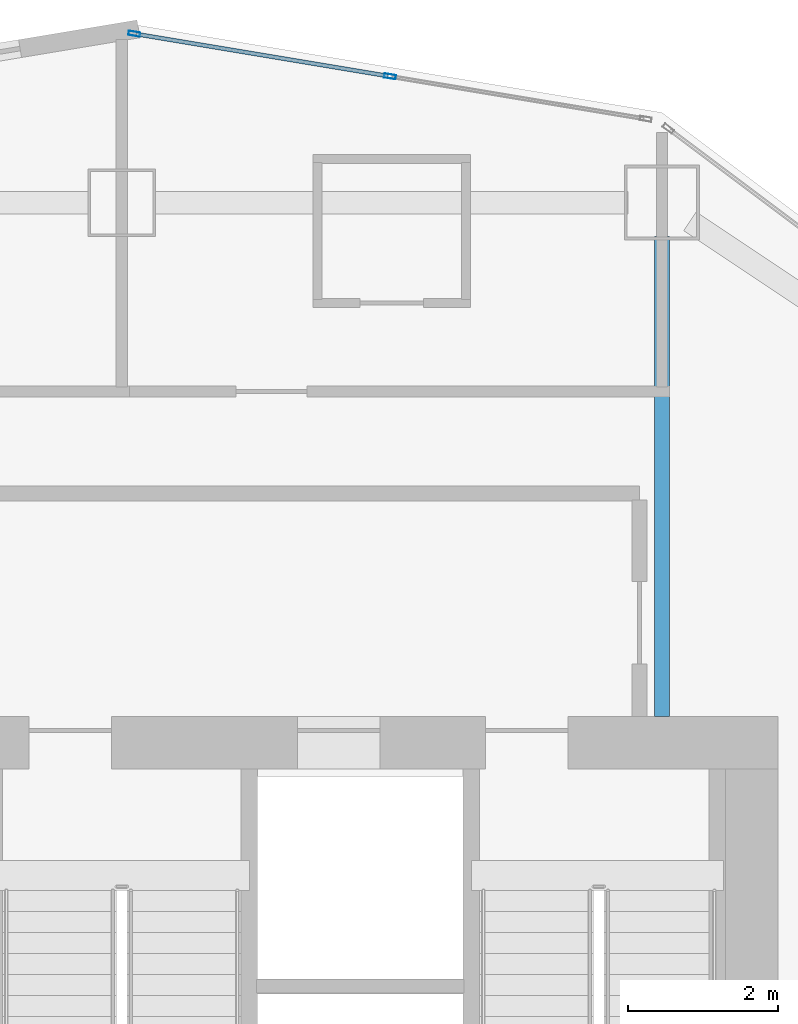
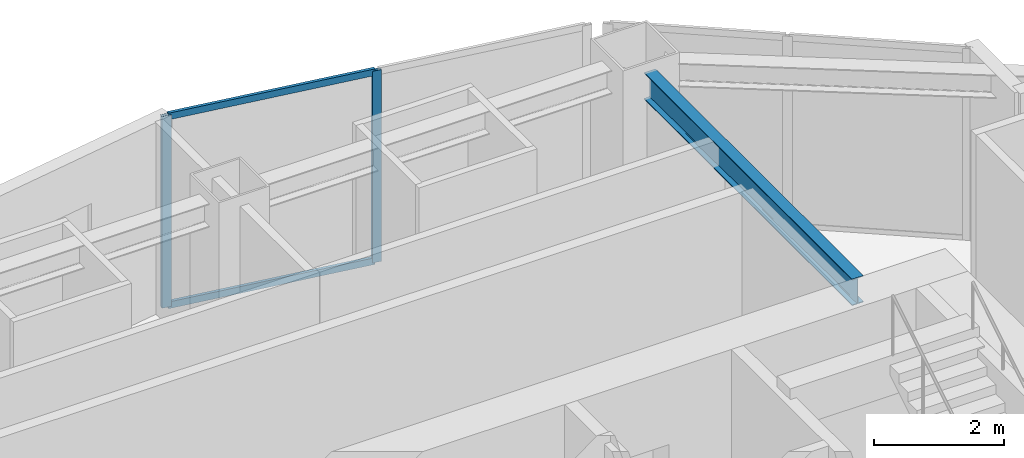
# One storey, part 2 of 13: 4 members, 1 beam, 1 element without a shape of its own.
"""IFC4 building model written with IfcOpenShell, lengths in metres."""

from ifc_helpers import new_model, si_unit, direction, frame, origin, origin_2d, place, context, subcontext, project, spatial, hollow_rectangle, i_section, extrude, material, layer, layer_set, material_profile, profile_set, type_object, element, aggregate, save


model = new_model("IFC4")

# Units and contexts
model_context = context("Model", 3, precision=1e-05, world=origin(), true_north=direction((0.0, 1.0)))
body_context = subcontext(model_context, "Body", "Model", "MODEL_VIEW")
ifc_project = project(units=[si_unit("LENGTHUNIT", "METRE"), si_unit("AREAUNIT", "SQUARE_METRE"), si_unit("VOLUMEUNIT", "CUBIC_METRE"), si_unit("PLANEANGLEUNIT", "RADIAN"), si_unit("MASSUNIT", "GRAM", prefix="KILO")], contexts=[model_context])

# Site, building, storey
site_placement = place(None, origin())
site = spatial("IfcSite", under=ifc_project, at=site_placement, CompositionType="ELEMENT")
building_placement = place(site_placement, origin())
building = spatial("IfcBuilding", under=site, at=building_placement, Name="Haolan Belvedere Tower", CompositionType="ELEMENT")
storey_placement = place(building_placement, frame((0.0, 0.0, 117.39990234375)))
storey = spatial("IfcBuildingStorey", under=building, at=storey_placement, Name="L29", CompositionType="ELEMENT", Elevation=117.39990234375)

# Beam
ifc_material_1 = material(Name="Steel Q355B", Category="steel")
ifc_material_profile_1 = material_profile(ifc_material_1, i_section(OverallWidth=0.199951171875, OverallDepth=0.5, WebThickness=0.010009765625, FlangeThickness=0.01611328125, FilletRadius=0.02001953125, at=origin_2d()), Name="Steel Q355B")
ifc_profile_set_1 = profile_set([ifc_material_profile_1], Name="Steel Q355B")
beam_type = type_object("IfcBeamType", Name="BM-HN500x200x10x16", PredefinedType="BEAM", material=ifc_profile_set_1)
beam_placement = place(storey_placement, frame((45.60009765625, 49.949951171875, 3.35009765625), z_axis=(0.0, -1.0, 0.0), x_axis=(1.0, 0.0, 0.0)))
element("IfcBeam", 1, at=beam_placement, inside=storey, type_object=beam_type, Name="L29 core tie beam from MC-T3-N2", PredefinedType="BEAM", context=body_context, shape_type="SweptSolid", body=[
    extrude(i_section(OverallWidth=0.199951171875, OverallDepth=0.5, WebThickness=0.010009765625, FlangeThickness=0.01611328125, FilletRadius=0.02001953125, at=origin_2d()), origin(), (0.0, 0.0, 1.0), 6.39990234375),
])

# Curtain wall, members
ifc_material_2 = material(Name="Anodised champagne-silver aluminium 6063-T6 and Low-E glass", Category="aluminium")
ifc_layer = layer(ifc_material_2, 0.155029296875, Name="Anodised champagne-silver aluminium 6063-T6 and Low-E glass")
ifc_layer_set = layer_set([ifc_layer], Name="Anodised champagne-silver aluminium 6063-T6 and Low-E glass")
curtain_wall_type = type_object("IfcCurtainWallType", Name="CW-SYS-03", PredefinedType="NOTDEFINED", material=ifc_layer_set)
curtain_wall_placement = place(storey_placement, origin())
curtain_wall = element("IfcCurtainWall", 2, at=curtain_wall_placement, inside=storey, type_object=curtain_wall_type, Name="L29 CW-SYS-03 ribbon curtain wall 27.1", PredefinedType="NOTDEFINED")
ifc_material_3 = material(Name="Anodised aluminium 6063-T6", Category="aluminium")
ifc_material_profile_2 = material_profile(ifc_material_3, hollow_rectangle(XDim=0.05810546875, YDim=0.155029296875, WallThickness=0.00390625, at=origin_2d()), Name="Anodised aluminium 6063-T6")
ifc_profile_set_2 = profile_set([ifc_material_profile_2], Name="Anodised aluminium 6063-T6")
member_type_1 = type_object("IfcMemberType", Name="CW-SYS-03-MUL", PredefinedType="MULLION", material=ifc_profile_set_2)
member_1_placement = place(storey_placement, frame((41.9755859375, 52.082275390625, 0.0), z_axis=(0.0, 0.0, 1.0), x_axis=(-0.16440364043, -0.9863931483, 0.0)))
member_1 = element("IfcMember", 3, at=member_1_placement, type_object=member_type_1, Name="CW-03 mullion 2", PredefinedType="MULLION", context=body_context, shape_type="SweptSolid", body=[
    extrude(hollow_rectangle(XDim=0.05810546875, YDim=0.155029296875, WallThickness=0.00390625, at=origin_2d()), origin(), (0.0, 0.0, 1.0), 3.60009765625),
])
member_2_placement = place(storey_placement, frame((38.566650390625, 52.650634765625, 0.0), z_axis=(0.0, 0.0, 1.0), x_axis=(-0.16440364043, -0.9863931483, 0.0)))
member_2 = element("IfcMember", 4, at=member_2_placement, type_object=member_type_1, Name="CW-03 mullion 3", PredefinedType="MULLION", context=body_context, shape_type="SweptSolid", body=[
    extrude(hollow_rectangle(XDim=0.05810546875, YDim=0.155029296875, WallThickness=0.00390625, at=origin_2d()), origin(), (0.0, 0.0, 1.0), 3.60009765625),
])
ifc_material_profile_3 = material_profile(ifc_material_3, hollow_rectangle(XDim=0.053955078125, YDim=0.125, WallThickness=0.00390625, at=origin_2d()), Name="Anodised aluminium 6063-T6")
ifc_profile_set_3 = profile_set([ifc_material_profile_3], Name="Anodised aluminium 6063-T6")
member_type_2 = type_object("IfcMemberType", Name="CW-SYS-03-TRN", PredefinedType="USERDEFINED", material=ifc_profile_set_3)
member_3_placement = place(storey_placement, frame((41.947021484375, 52.087158203125, 0.027099609375), z_axis=(-0.986395865591, 0.16438733633, 0.0), x_axis=(-0.16438733633, -0.986395865591, 0.0)))
member_3 = element("IfcMember", 5, at=member_3_placement, type_object=member_type_2, Name="CW-03 transom 2.1", ObjectType="TRANSOM", PredefinedType="USERDEFINED", context=body_context, shape_type="SweptSolid", body=[
    extrude(hollow_rectangle(XDim=0.053955078125, YDim=0.125, WallThickness=0.00390625, at=origin_2d()), origin(), (0.0, 0.0, 1.0), 3.39794921875),
])
member_4_placement = place(storey_placement, frame((41.947021484375, 52.087158203125, 3.572998046875), z_axis=(-0.986395865591, 0.16438733633, 0.0), x_axis=(-0.16438733633, -0.986395865591, 0.0)))
member_4 = element("IfcMember", 6, at=member_4_placement, type_object=member_type_2, Name="CW-03 transom 2.2", ObjectType="TRANSOM", PredefinedType="USERDEFINED", context=body_context, shape_type="SweptSolid", body=[
    extrude(hollow_rectangle(XDim=0.053955078125, YDim=0.125, WallThickness=0.00390625, at=origin_2d()), origin(), (0.0, 0.0, 1.0), 3.39794921875),
])
aggregate(curtain_wall, [member_1, member_2, member_3, member_4])

save(model, "model.ifc")
